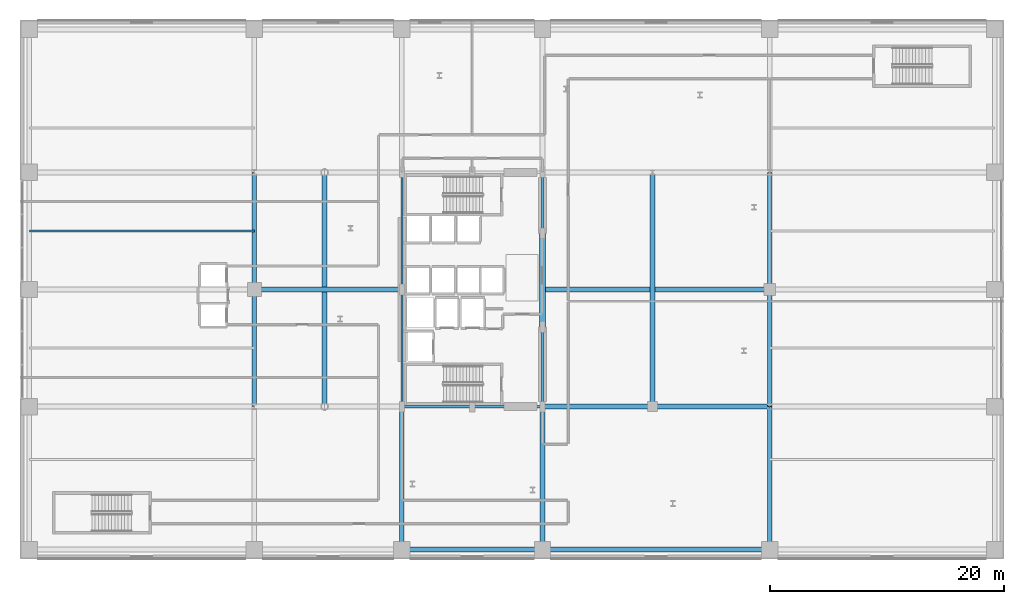
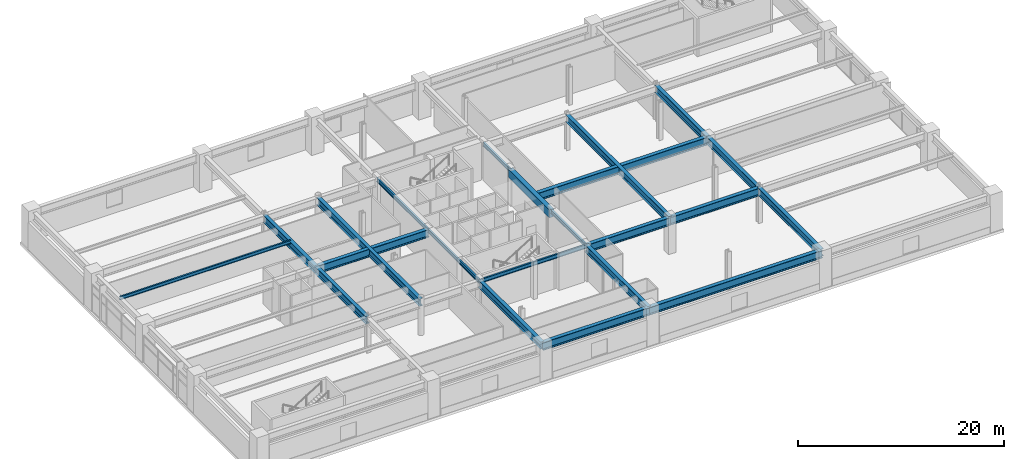
# One storey, part 10 of 28: 23 beams.
"""IFC4 building model written with IfcOpenShell, lengths in metres."""

from ifc_helpers import new_model, si_unit, direction, frame, origin, origin_2d, place, context, subcontext, project, spatial, rectangle, i_section, extrude, material, material_profile, profile_set, type_object, element, save


model = new_model("IFC4")

# Units and contexts
model_context = context("Model", 3, precision=1e-05, world=origin(), true_north=direction((0.0, 1.0)))
body_context = subcontext(model_context, "Body", "Model", "MODEL_VIEW")
ifc_project = project(units=[si_unit("LENGTHUNIT", "METRE"), si_unit("AREAUNIT", "SQUARE_METRE"), si_unit("VOLUMEUNIT", "CUBIC_METRE"), si_unit("PLANEANGLEUNIT", "RADIAN"), si_unit("MASSUNIT", "GRAM", prefix="KILO")], contexts=[model_context])

# Site, building, storey
site_placement = place(None, origin())
site = spatial("IfcSite", under=ifc_project, at=site_placement, CompositionType="ELEMENT")
building_placement = place(site_placement, origin())
building = spatial("IfcBuilding", under=site, at=building_placement, Name="Soratama Intermodal Tower", CompositionType="ELEMENT")
storey_placement = place(building_placement, frame((0.0, 0.0, 20.699951171875)))
storey = spatial("IfcBuildingStorey", under=building, at=storey_placement, Name="L04", CompositionType="ELEMENT", Elevation=20.699951171875)

# Beams
ifc_material_1 = material(Name="Concrete f'c 56 MPa", Category="concrete")
ifc_material_profile_1 = material_profile(ifc_material_1, rectangle(XDim=0.5, YDim=0.949951171875, at=origin_2d()), Name="RC500X950")
ifc_profile_set_1 = profile_set([ifc_material_profile_1], Name="Concrete f'c 56 MPa")
beam_type_1 = type_object("IfcBeamType", Name="BM-CPL-RC500X950", PredefinedType="BEAM", material=ifc_profile_set_1)
beam_1_placement = place(storey_placement, frame((44.60009765625, 21.800048828125, 3.705078125), z_axis=(0.0, 1.0, 0.0), x_axis=(-1.0, 0.0, 0.0)))
element("IfcBeam", 1, at=beam_1_placement, inside=storey, type_object=beam_type_1, Name="L04 Core Coupling Beam East", PredefinedType="BEAM", context=body_context, shape_type="SweptSolid", body=[
    extrude(rectangle(XDim=0.5, YDim=0.949951171875, at=origin_2d()), origin(), (0.0, 0.0, 1.0), 8.0),
])
ifc_material_2 = material(Name="Structural steel ASTM A992 Grade 50", Category="steel")
ifc_material_profile_2 = material_profile(ifc_material_2, i_section(OverallWidth=0.19091796875, OverallDepth=0.4599609375, WebThickness=0.010009765625, FlangeThickness=0.01611328125, FilletRadius=0.010986328125, at=origin_2d()), Name="W18X55")
ifc_profile_set_2 = profile_set([ifc_material_profile_2], Name="Structural steel ASTM A992 Grade 50")
beam_type_2 = type_object("IfcBeamType", Name="BM-FLR-W18X55", PredefinedType="BEAM", material=ifc_profile_set_2)
for number, where, z_axis, x_axis, name in (
    (2, (32.60009765625, 15.0, 3.949951171875), (1.0, 0.0, 0.0), (0.0, 1.0, 0.0), "BM-L04-CRING-01"),
    (3, (38.60009765625, 15.0, 3.949951171875), (1.0, 0.0, 0.0), (0.0, 1.0, 0.0), "BM-L04-CRING-02"),
):
    element("IfcBeam", number, at=place(storey_placement, frame(where, z_axis=z_axis, x_axis=x_axis)), inside=storey, type_object=beam_type_2, Name=name, PredefinedType="BEAM", context=body_context, shape_type="SweptSolid", body=[
        extrude(i_section(OverallWidth=0.19091796875, OverallDepth=0.4599609375, WebThickness=0.010009765625, FlangeThickness=0.01611328125, FilletRadius=0.010986328125, at=origin_2d()), origin(), (0.0, 0.0, 1.0), 6.0),
    ])
beam_2_placement = place(storey_placement, frame((44.60009765625, 15.0, 3.949951171875), z_axis=(0.0, 1.0, 0.0), x_axis=(-1.0, 0.0, 0.0)))
element("IfcBeam", 4, at=beam_2_placement, inside=storey, type_object=beam_type_2, Name="BM-L04-CRING-03", PredefinedType="BEAM", context=body_context, shape_type="SweptSolid", body=[
    extrude(i_section(OverallWidth=0.19091796875, OverallDepth=0.4599609375, WebThickness=0.010009765625, FlangeThickness=0.01611328125, FilletRadius=0.010986328125, at=origin_2d()), origin(), (0.0, 0.0, 1.0), 6.800048828125),
])
beam_3_placement = place(storey_placement, frame((44.60009765625, 29.800048828125, 3.949951171875), z_axis=(0.0, 1.0, 0.0), x_axis=(-1.0, 0.0, 0.0)))
element("IfcBeam", 5, at=beam_3_placement, inside=storey, type_object=beam_type_2, Name="BM-L04-CRING-05", PredefinedType="BEAM", context=body_context, shape_type="SweptSolid", body=[
    extrude(i_section(OverallWidth=0.19091796875, OverallDepth=0.4599609375, WebThickness=0.010009765625, FlangeThickness=0.01611328125, FilletRadius=0.010986328125, at=origin_2d()), origin(), (0.0, 0.0, 1.0), 5.199951171875),
])
for number, where, z_axis, x_axis, name in (
    (6, (32.60009765625, 35.0, 3.949951171875), (0.0, -1.0, 0.0), (1.0, 0.0, 0.0), "BM-L04-CRING-08"),
    (7, (32.60009765625, 25.0, 3.949951171875), (0.0, -1.0, 0.0), (1.0, 0.0, 0.0), "BM-L04-CRING-09"),
):
    element("IfcBeam", number, at=place(storey_placement, frame(where, z_axis=z_axis, x_axis=x_axis)), inside=storey, type_object=beam_type_2, Name=name, PredefinedType="BEAM", context=body_context, shape_type="SweptSolid", body=[
        extrude(i_section(OverallWidth=0.19091796875, OverallDepth=0.4599609375, WebThickness=0.010009765625, FlangeThickness=0.01611328125, FilletRadius=0.010986328125, at=origin_2d()), origin(), (0.0, 0.0, 1.0), 10.0),
    ])
ifc_material_3 = material(Name="Structural steel ASTM A992 Grade 50", Category="steel")
ifc_material_profile_3 = material_profile(ifc_material_3, i_section(OverallWidth=0.177978515625, OverallDepth=0.406982421875, WebThickness=0.0078125, FlangeThickness=0.0126953125, FilletRadius=0.010009765625, at=origin_2d()), Name="W16X40")
ifc_profile_set_3 = profile_set([ifc_material_profile_3], Name="Structural steel ASTM A992 Grade 50")
beam_type_3 = type_object("IfcBeamType", Name="BM-JST-W16X40", PredefinedType="JOIST", material=ifc_profile_set_3)
beam_4_placement = place(storey_placement, frame((0.800048828125, 30.0, 3.9765625), z_axis=(1.0, 0.0, 0.0), x_axis=(0.0, 1.0, 0.0)))
element("IfcBeam", 8, at=beam_4_placement, inside=storey, type_object=beam_type_3, Name="JST-L04-W3", PredefinedType="JOIST", context=body_context, shape_type="SweptSolid", body=[
    extrude(i_section(OverallWidth=0.177978515625, OverallDepth=0.406982421875, WebThickness=0.0078125, FlangeThickness=0.0126953125, FilletRadius=0.010009765625, at=origin_2d()), origin(), (0.0, 0.0, 1.0), 19.199951171875),
])
ifc_material_4 = material(Name="Structural steel ASTM A992 Grade 50", Category="steel")
ifc_material_profile_4 = material_profile(ifc_material_4, i_section(OverallWidth=0.423095703125, OverallDepth=0.93896484375, WebThickness=0.02392578125, FlangeThickness=0.042724609375, FilletRadius=0.02392578125, at=origin_2d()), Name="W36X302")
ifc_profile_set_4 = profile_set([ifc_material_profile_4], Name="Structural steel ASTM A992 Grade 50")
beam_type_4 = type_object("IfcBeamType", Name="BM-POD-EXT-W36", PredefinedType="BEAM", material=ifc_profile_set_4)
beam_5_placement = place(storey_placement, frame((32.60009765625, 2.800048828125, 3.71044921875), z_axis=(1.0, 0.0, 0.0), x_axis=(0.0, 1.0, 0.0)))
element("IfcBeam", 9, at=beam_5_placement, inside=storey, type_object=beam_type_4, Name="L04 Station Girder X1-3", PredefinedType="BEAM", context=body_context, shape_type="SweptSolid", body=[
    extrude(i_section(OverallWidth=0.423095703125, OverallDepth=0.93896484375, WebThickness=0.02392578125, FlangeThickness=0.042724609375, FilletRadius=0.02392578125, at=origin_2d()), origin(), (0.0, 0.0, 1.0), 12.0),
])
beam_6_placement = place(storey_placement, frame((44.60009765625, 2.800048828125, 3.71044921875), z_axis=(1.0, 0.0, 0.0), x_axis=(0.0, 1.0, 0.0)))
element("IfcBeam", 10, at=beam_6_placement, inside=storey, type_object=beam_type_4, Name="L04 Station Girder X1-4", PredefinedType="BEAM", context=body_context, shape_type="SweptSolid", body=[
    extrude(i_section(OverallWidth=0.423095703125, OverallDepth=0.93896484375, WebThickness=0.02392578125, FlangeThickness=0.042724609375, FilletRadius=0.02392578125, at=origin_2d()), origin(), (0.0, 0.0, 1.0), 19.39990234375),
])
ifc_material_5 = material(Name="Structural steel ASTM A992 Grade 50", Category="steel")
ifc_material_profile_5 = material_profile(ifc_material_5, i_section(OverallWidth=0.403076171875, OverallDepth=0.867919921875, WebThickness=0.02099609375, FlangeThickness=0.03564453125, FilletRadius=0.01806640625, at=origin_2d()), Name="W33X241")
ifc_profile_set_5 = profile_set([ifc_material_profile_5], Name="Structural steel ASTM A992 Grade 50")
beam_type_5 = type_object("IfcBeamType", Name="BM-POD-W33X241", PredefinedType="BEAM", material=ifc_profile_set_5)
for number, where, z_axis, x_axis, name in (
    (11, (20.0, 15.0, 3.74609375), (0.0, 1.0, 0.0), (-1.0, 0.0, 0.0), "L04 Station Girder Y2-2"),
    (12, (20.0, 25.0, 3.74609375), (0.0, 1.0, 0.0), (-1.0, 0.0, 0.0), "L04 Station Girder Y2-3"),
):
    element("IfcBeam", number, at=place(storey_placement, frame(where, z_axis=z_axis, x_axis=x_axis)), inside=storey, type_object=beam_type_5, Name=name, PredefinedType="BEAM", context=body_context, shape_type="SweptSolid", body=[
        extrude(i_section(OverallWidth=0.403076171875, OverallDepth=0.867919921875, WebThickness=0.02099609375, FlangeThickness=0.03564453125, FilletRadius=0.01806640625, at=origin_2d()), origin(), (0.0, 0.0, 1.0), 10.0),
    ])
beam_7_placement = place(storey_placement, frame((64.0, 2.800048828125, 3.74609375), z_axis=(0.0, 1.0, 0.0), x_axis=(-1.0, 0.0, 0.0)))
element("IfcBeam", 13, at=beam_7_placement, inside=storey, type_object=beam_type_5, Name="L04 Station Girder Y3-1", PredefinedType="BEAM", context=body_context, shape_type="SweptSolid", body=[
    extrude(i_section(OverallWidth=0.403076171875, OverallDepth=0.867919921875, WebThickness=0.02099609375, FlangeThickness=0.03564453125, FilletRadius=0.01806640625, at=origin_2d()), origin(), (0.0, 0.0, 1.0), 12.199951171875),
])
for number, where, z_axis, x_axis, name in (
    (14, (64.0, 15.0, 3.74609375), (0.0, 1.0, 0.0), (-1.0, 0.0, 0.0), "L04 Station Girder Y3-2"),
    (15, (64.0, 25.0, 3.74609375), (0.0, 1.0, 0.0), (-1.0, 0.0, 0.0), "L04 Station Girder Y3-3"),
):
    element("IfcBeam", number, at=place(storey_placement, frame(where, z_axis=z_axis, x_axis=x_axis)), inside=storey, type_object=beam_type_5, Name=name, PredefinedType="BEAM", context=body_context, shape_type="SweptSolid", body=[
        extrude(i_section(OverallWidth=0.403076171875, OverallDepth=0.867919921875, WebThickness=0.02099609375, FlangeThickness=0.03564453125, FilletRadius=0.01806640625, at=origin_2d()), origin(), (0.0, 0.0, 1.0), 10.0),
    ])
for number, where, z_axis, x_axis, name in (
    (16, (32.60009765625, 2.800048828125, 3.74609375), (0.0, 1.0, 0.0), (-1.0, 0.0, 0.0), "BM-L04-GYC-1-1"),
    (17, (44.60009765625, 2.800048828125, 3.74609375), (0.0, 1.0, 0.0), (-1.0, 0.0, 0.0), "BM-L04-GYC-2-1"),
):
    element("IfcBeam", number, at=place(storey_placement, frame(where, z_axis=z_axis, x_axis=x_axis)), inside=storey, type_object=beam_type_5, Name=name, PredefinedType="BEAM", context=body_context, shape_type="SweptSolid", body=[
        extrude(i_section(OverallWidth=0.403076171875, OverallDepth=0.867919921875, WebThickness=0.02099609375, FlangeThickness=0.03564453125, FilletRadius=0.01806640625, at=origin_2d()), origin(), (0.0, 0.0, 1.0), 12.199951171875),
    ])
for number, where, z_axis, x_axis, name in (
    (18, (26.0, 15.0, 3.74609375), (0.0, 1.0, 0.0), (-1.0, 0.0, 0.0), "BM-L04-GYS-1"),
    (19, (54.0, 15.0, 3.74609375), (0.0, 1.0, 0.0), (-1.0, 0.0, 0.0), "BM-L04-GYS-2"),
):
    element("IfcBeam", number, at=place(storey_placement, frame(where, z_axis=z_axis, x_axis=x_axis)), inside=storey, type_object=beam_type_5, Name=name, PredefinedType="BEAM", context=body_context, shape_type="SweptSolid", body=[
        extrude(i_section(OverallWidth=0.403076171875, OverallDepth=0.867919921875, WebThickness=0.02099609375, FlangeThickness=0.03564453125, FilletRadius=0.01806640625, at=origin_2d()), origin(), (0.0, 0.0, 1.0), 20.0),
    ])
ifc_material_6 = material(Name="Structural steel ASTM A992 Grade 50", Category="steel")
ifc_material_profile_6 = material_profile(ifc_material_6, i_section(OverallWidth=0.423095703125, OverallDepth=0.93896484375, WebThickness=0.02392578125, FlangeThickness=0.042724609375, FilletRadius=0.02392578125, at=origin_2d()), Name="W36X302")
ifc_profile_set_6 = profile_set([ifc_material_profile_6], Name="Structural steel ASTM A992 Grade 50")
beam_type_6 = type_object("IfcBeamType", Name="BM-POD-W36X302", PredefinedType="BEAM", material=ifc_profile_set_6)
beam_8_placement = place(storey_placement, frame((44.60009765625, 15.0, 3.71044921875), z_axis=(1.0, 0.0, 0.0), x_axis=(0.0, 1.0, 0.0)))
element("IfcBeam", 20, at=beam_8_placement, inside=storey, type_object=beam_type_6, Name="L04 Station Girder X2-4", PredefinedType="BEAM", context=body_context, shape_type="SweptSolid", body=[
    extrude(i_section(OverallWidth=0.423095703125, OverallDepth=0.93896484375, WebThickness=0.02392578125, FlangeThickness=0.042724609375, FilletRadius=0.02392578125, at=origin_2d()), origin(), (0.0, 0.0, 1.0), 9.39990234375),
])
beam_9_placement = place(storey_placement, frame((54.0, 15.0, 3.71044921875), z_axis=(1.0, 0.0, 0.0), x_axis=(0.0, 1.0, 0.0)))
element("IfcBeam", 21, at=beam_9_placement, inside=storey, type_object=beam_type_6, Name="L04 Station Girder X2-5", PredefinedType="BEAM", context=body_context, shape_type="SweptSolid", body=[
    extrude(i_section(OverallWidth=0.423095703125, OverallDepth=0.93896484375, WebThickness=0.02392578125, FlangeThickness=0.042724609375, FilletRadius=0.02392578125, at=origin_2d()), origin(), (0.0, 0.0, 1.0), 10.0),
])
beam_10_placement = place(storey_placement, frame((20.0, 25.0, 3.71044921875), z_axis=(1.0, 0.0, 0.0), x_axis=(0.0, 1.0, 0.0)))
element("IfcBeam", 22, at=beam_10_placement, inside=storey, type_object=beam_type_6, Name="L04 Station Girder X3-1", PredefinedType="BEAM", context=body_context, shape_type="SweptSolid", body=[
    extrude(i_section(OverallWidth=0.423095703125, OverallDepth=0.93896484375, WebThickness=0.02392578125, FlangeThickness=0.042724609375, FilletRadius=0.02392578125, at=origin_2d()), origin(), (0.0, 0.0, 1.0), 12.60009765625),
])
beam_11_placement = place(storey_placement, frame((44.60009765625, 25.0, 3.71044921875), z_axis=(1.0, 0.0, 0.0), x_axis=(0.0, 1.0, 0.0)))
element("IfcBeam", 23, at=beam_11_placement, inside=storey, type_object=beam_type_6, Name="L04 Station Girder X3-2", PredefinedType="BEAM", context=body_context, shape_type="SweptSolid", body=[
    extrude(i_section(OverallWidth=0.423095703125, OverallDepth=0.93896484375, WebThickness=0.02392578125, FlangeThickness=0.042724609375, FilletRadius=0.02392578125, at=origin_2d()), origin(), (0.0, 0.0, 1.0), 19.39990234375),
])

save(model, "model.ifc")
